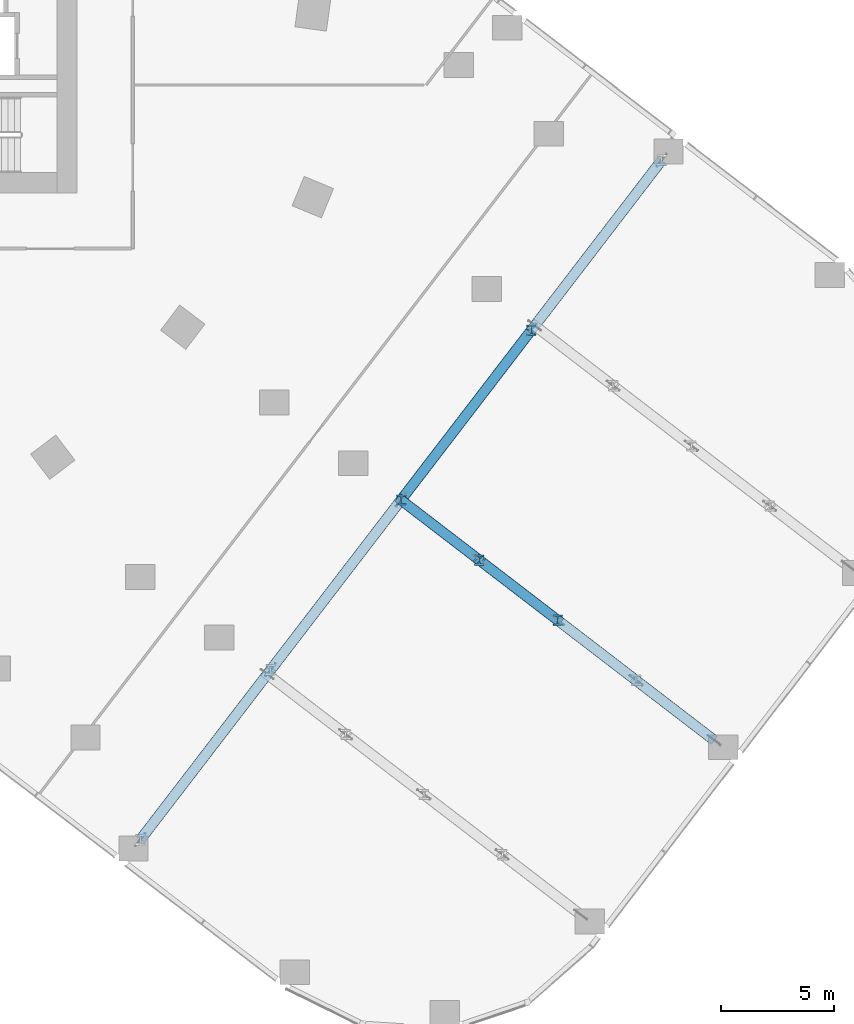
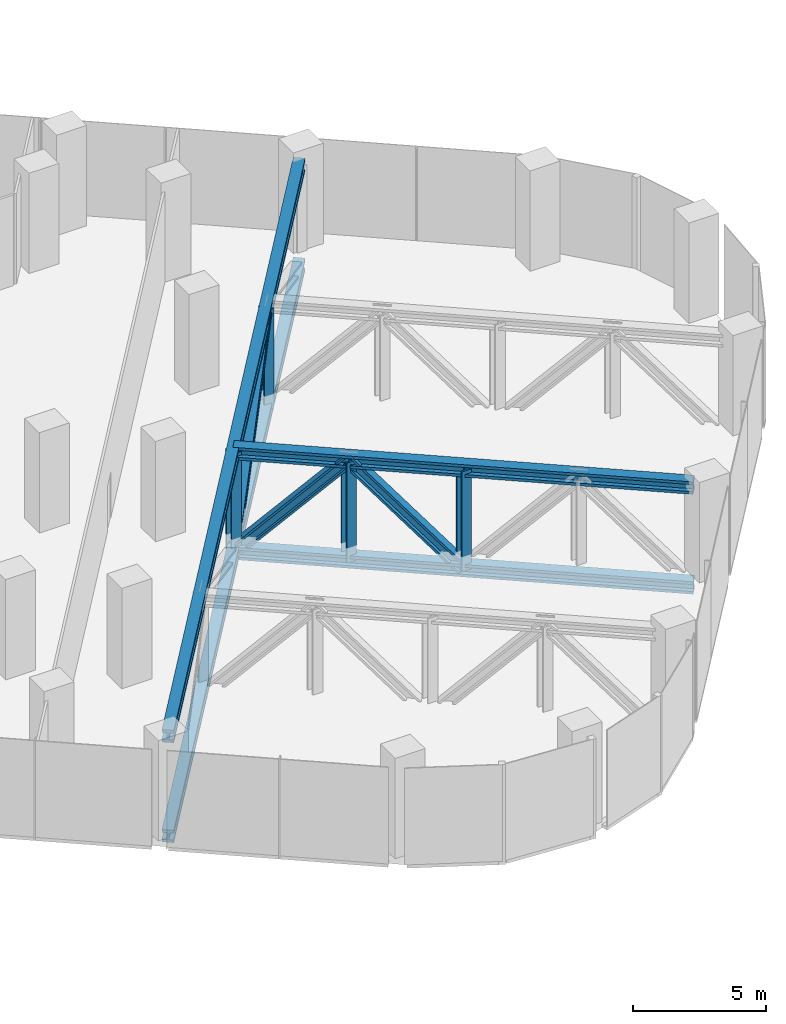
# One storey, part 8 of 30: 11 members.
"""IFC4 building model written with IfcOpenShell, lengths in metres."""

from ifc_helpers import new_model, si_unit, direction, frame, origin, origin_2d, place, context, subcontext, project, spatial, i_section, extrude, material, material_profile, profile_set, type_object, element, save


model = new_model("IFC4")

# Units and contexts
model_context = context("Model", 3, precision=1e-05, world=origin(), true_north=direction((0.0, 1.0)))
body_context = subcontext(model_context, "Body", "Model", "MODEL_VIEW")
ifc_project = project(units=[si_unit("LENGTHUNIT", "METRE"), si_unit("AREAUNIT", "SQUARE_METRE"), si_unit("VOLUMEUNIT", "CUBIC_METRE"), si_unit("PLANEANGLEUNIT", "RADIAN"), si_unit("MASSUNIT", "GRAM", prefix="KILO")], contexts=[model_context])

# Site, building, storey
site_placement = place(None, origin())
site = spatial("IfcSite", under=ifc_project, at=site_placement, CompositionType="ELEMENT")
building_placement = place(site_placement, origin())
building = spatial("IfcBuilding", under=site, at=building_placement, Name="Orlundy Tower", CompositionType="ELEMENT")
storey_placement = place(building_placement, frame((0.0, 0.0, 20.5)))
storey = spatial("IfcBuildingStorey", under=building, at=storey_placement, Name="L03", CompositionType="ELEMENT", Elevation=20.5)

# Members
ifc_material_1 = material(Name="Steel ASTM A992 Gr 50", Category="steel")
ifc_material_profile_1 = material_profile(ifc_material_1, i_section(OverallWidth=0.454345703125, OverallDepth=0.569580078125, WebThickness=0.077880859375, FlangeThickness=0.124755859375, at=origin_2d()), Name="W14X730")
ifc_profile_set_1 = profile_set([ifc_material_profile_1], Name="Steel ASTM A992 Gr 50")
member_type_1 = type_object("IfcMemberType", Name="TRANSFER TRUSS chord W14X730", PredefinedType="CHORD", material=ifc_profile_set_1)
for number, where, z_axis, x_axis, name in (
    (1, (21.785400390625, -40.54638671875, -0.684814453125), (0.608763876809, 0.793351462022, 0.0), (-0.793351462022, 0.608763876809, 0.0), "Transfer truss bottom chord TT-1"),
    (2, (21.785400390625, -40.54638671875, 3.895263671875), (0.608763876809, 0.793351462022, 0.0), (-0.793351462022, 0.608763876809, 0.0), "Transfer truss top chord TT-1"),
):
    element("IfcMember", number, at=place(storey_placement, frame(where, z_axis=z_axis, x_axis=x_axis)), inside=storey, type_object=member_type_1, Name=name, PredefinedType="CHORD", context=body_context, shape_type="SweptSolid", body=[
        extrude(i_section(OverallWidth=0.454345703125, OverallDepth=0.569580078125, WebThickness=0.077880859375, FlangeThickness=0.124755859375, at=origin_2d()), origin(), (0.0, 0.0, 1.0), 37.81005859375),
    ])
for number, where, z_axis, x_axis, name in (
    (3, (33.2939453125, -25.548095703125, -0.684814453125), (0.79336970534, -0.608740101069, 0.0), (0.608740101069, 0.79336970534, 0.0), "Transfer truss bottom chord TT-L2"),
    (4, (33.2939453125, -25.548095703125, 3.895263671875), (0.79336970534, -0.608740101069, 0.0), (0.608740101069, 0.79336970534, 0.0), "Transfer truss top chord TT-L2"),
):
    element("IfcMember", number, at=place(storey_placement, frame(where, z_axis=z_axis, x_axis=x_axis)), inside=storey, type_object=member_type_1, Name=name, PredefinedType="CHORD", context=body_context, shape_type="SweptSolid", body=[
        extrude(i_section(OverallWidth=0.454345703125, OverallDepth=0.569580078125, WebThickness=0.077880859375, FlangeThickness=0.124755859375, at=origin_2d()), origin(), (0.0, 0.0, 1.0), 17.438720703125),
    ])
ifc_material_2 = material(Name="Steel ASTM A992 Gr 50", Category="steel")
ifc_material_profile_2 = material_profile(ifc_material_2, i_section(OverallWidth=0.43212890625, OverallDepth=0.497802734375, WebThickness=0.0556640625, FlangeThickness=0.0888671875, at=origin_2d()), Name="W14X500")
ifc_profile_set_2 = profile_set([ifc_material_profile_2], Name="Steel ASTM A992 Gr 50")
member_type_2 = type_object("IfcMemberType", Name="TRANSFER TRUSS diagonal W14X500", PredefinedType="BRACE", material=ifc_profile_set_2)
member_placement = place(storey_placement, frame((33.2939453125, -25.548095703125, -0.684814453125), z_axis=(0.547840868359, 0.713959607696, 0.436041353009), x_axis=(-0.793353129355, 0.608761703906, 0.0)))
element("IfcMember", 5, at=member_placement, inside=storey, type_object=member_type_2, Name="Transfer truss diagonal TT-1-2", PredefinedType="BRACE", context=body_context, shape_type="SweptSolid", body=[
    extrude(i_section(OverallWidth=0.43212890625, OverallDepth=0.497802734375, WebThickness=0.0556640625, FlangeThickness=0.0888671875, at=origin_2d()), origin(), (0.0, 0.0, 1.0), 10.503662109375),
])
for number, where, z_axis, x_axis, name in (
    (6, (33.2939453125, -25.548095703125, -0.684814453125), (0.546993150941, -0.419694751939, 0.724330593043), (0.608735999526, 0.793372852372, 0.0), "Transfer truss diagonal TT-L2-0"),
    (7, (36.752685546875, -28.201904296875, 3.895263671875), (0.547020208174, -0.419685888118, -0.724315295409), (0.608708954205, 0.793393602868, 0.0), "Transfer truss diagonal TT-L2-1"),
):
    element("IfcMember", number, at=place(storey_placement, frame(where, z_axis=z_axis, x_axis=x_axis)), inside=storey, type_object=member_type_2, Name=name, PredefinedType="BRACE", context=body_context, shape_type="SweptSolid", body=[
        extrude(i_section(OverallWidth=0.43212890625, OverallDepth=0.497802734375, WebThickness=0.0556640625, FlangeThickness=0.0888671875, at=origin_2d()), origin(), (0.0, 0.0, 1.0), 6.3232421875),
    ])
ifc_material_3 = material(Name="Steel ASTM A992 Gr 50", Category="steel")
ifc_material_profile_3 = material_profile(ifc_material_3, i_section(OverallWidth=0.41845703125, OverallDepth=0.455078125, WebThickness=0.0419921875, FlangeThickness=0.067626953125, at=origin_2d()), Name="W14X370")
ifc_profile_set_3 = profile_set([ifc_material_profile_3], Name="Steel ASTM A992 Gr 50")
member_type_3 = type_object("IfcMemberType", Name="TRANSFER TRUSS post W14X370", PredefinedType="POST", material=ifc_profile_set_3)
for number, where, z_axis, x_axis, name in (
    (8, (33.2939453125, -25.548095703125, -0.684814453125), (0.0, 0.0, 1.0), (1.0, 0.0, 0.0), "Transfer truss post TT-1-2"),
    (9, (39.04833984375, -18.048828125, -0.684814453125), (0.0, 0.0, 1.0), (1.0, 0.0, 0.0), "Transfer truss post TT-1-3"),
    (10, (36.752685546875, -28.201904296875, -0.684814453125), (0.0, 0.0, 1.0), (1.0, 0.0, 0.0), "Transfer truss post TT-L2-1"),
    (11, (40.211669921875, -30.855712890625, -0.684814453125), (0.0, 0.0, 1.0), (1.0, 0.0, 0.0), "Transfer truss post TT-L2-2"),
):
    element("IfcMember", number, at=place(storey_placement, frame(where, z_axis=z_axis, x_axis=x_axis)), inside=storey, type_object=member_type_3, Name=name, PredefinedType="POST", context=body_context, shape_type="SweptSolid", body=[
        extrude(i_section(OverallWidth=0.41845703125, OverallDepth=0.455078125, WebThickness=0.0419921875, FlangeThickness=0.067626953125, at=origin_2d()), origin(), (0.0, 0.0, 1.0), 4.580078125),
    ])

save(model, "model.ifc")
